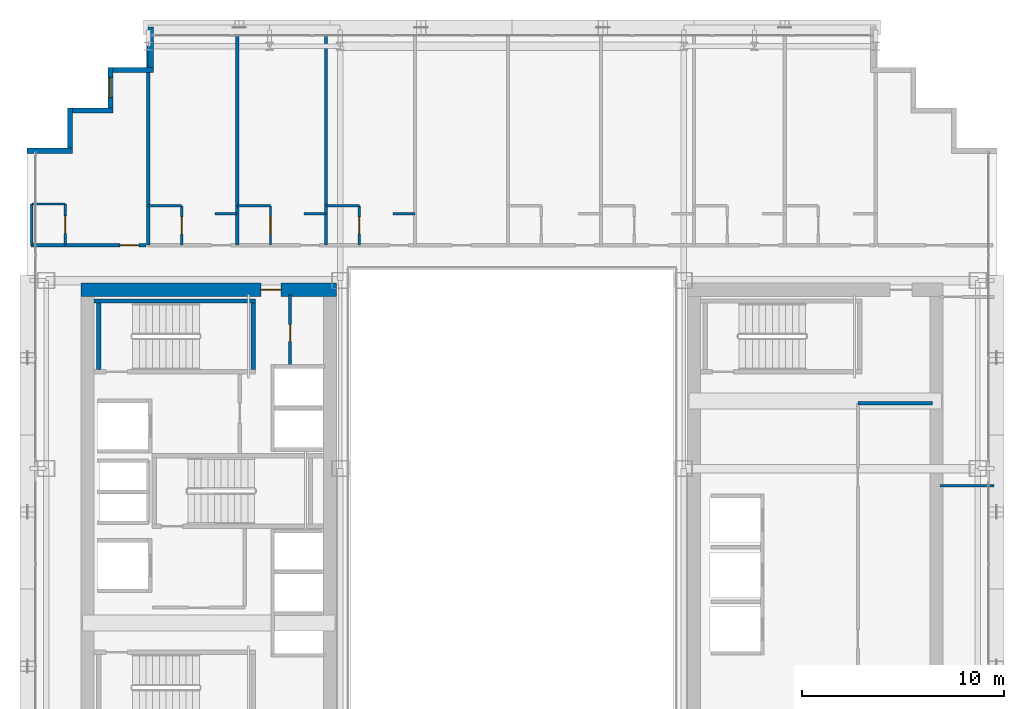
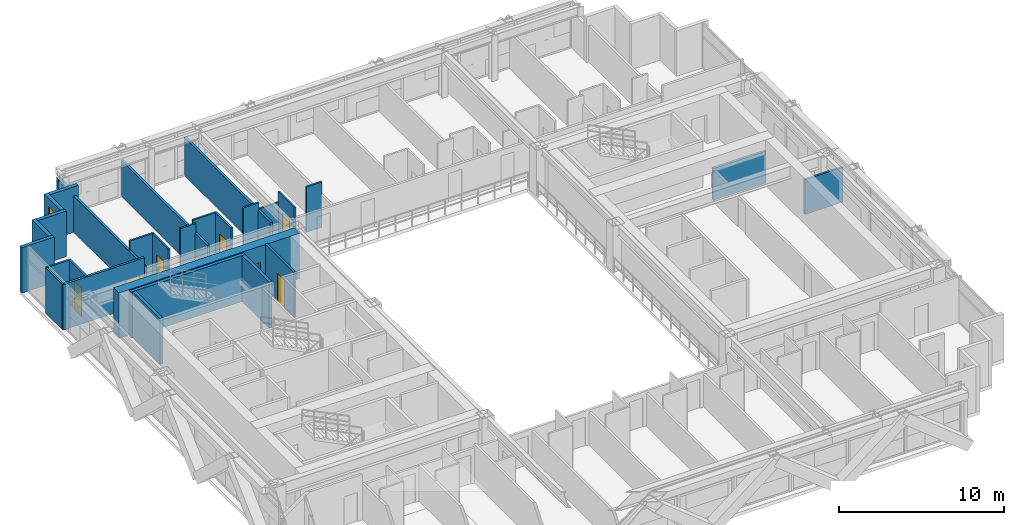
# One storey, part 30 of 36: 29 walls, 7 doors, 1 window, 8 openings.
"""IFC4 building model written with IfcOpenShell, lengths in metres."""

from ifc_helpers import new_model, si_unit, direction, frame, frame_2d, origin, place, context, subcontext, project, spatial, rectangle, extrude, source, transform, mapped, material, layer, layer_set, type_object, element, fill, save


model = new_model("IFC4")

# Units and contexts
model_context = context("Model", 3, precision=1e-05, world=origin(), true_north=direction((0.0, 1.0)))
body_context = subcontext(model_context, "Body", "Model", "MODEL_VIEW")
ifc_project = project(units=[si_unit("LENGTHUNIT", "METRE"), si_unit("AREAUNIT", "SQUARE_METRE"), si_unit("VOLUMEUNIT", "CUBIC_METRE"), si_unit("PLANEANGLEUNIT", "RADIAN"), si_unit("MASSUNIT", "GRAM", prefix="KILO")], contexts=[model_context])

# Site, building, storey
site_placement = place(None, origin())
site = spatial("IfcSite", under=ifc_project, at=site_placement, CompositionType="ELEMENT")
building_placement = place(site_placement, origin())
building = spatial("IfcBuilding", under=site, at=building_placement, Name="Ocotamira Hotel", CompositionType="ELEMENT")
storey_placement = place(building_placement, frame((0.0, 0.0, 133.199951171875)))
storey = spatial("IfcBuildingStorey", under=building, at=storey_placement, Name="L33", CompositionType="ELEMENT", Elevation=133.199951171875)

# Wall, opening, door
ifc_material_1 = material(Name="Concrete C60/75", Category="concrete")
ifc_layer_1 = layer(ifc_material_1, 0.64990234375)
ifc_layer_set_1 = layer_set([ifc_layer_1], Name="Concrete C60/75")
wall_type_1 = type_object("IfcWallType", Name="WL-CORE-650", PredefinedType="SHEAR", material=ifc_layer_set_1)
wall_1_placement = place(storey_placement, frame((10.675048828125, 37.0, 0.0), z_axis=(0.0, 0.0, 1.0), x_axis=(1.0, 0.0, 0.0)))
wall_1 = element("IfcWall", 1, at=wall_1_placement, inside=storey, type_object=wall_type_1, Name="L33 Shear Core Wall WCORE-N", PredefinedType="SHEAR", context=body_context, shape_type="SweptSolid", body=[
    extrude(rectangle(XDim=12.64990234375, YDim=0.64990234375, at=frame_2d((6.324951171875, 0.0))), origin(), (0.0, 0.0, 1.0), 3.360107421875),
])
opening_1_placement = place(wall_1_placement, frame((8.905029296875, 0.0, 0.0)))
opening_1 = element("IfcOpeningElement", 2, at=opening_1_placement, cuts=wall_1, Name="Opening D-FR2", PredefinedType="OPENING", context=body_context, shape_type="SweptSolid", body=[
    extrude(rectangle(XDim=1.0, YDim=2.14990234375, at=frame_2d((0.5, 1.074951171875))), frame((0.0, 0.3349609375, 0.0), z_axis=(0.0, -1.0, 0.0), x_axis=(1.0, 0.0, 0.0)), (0.0, 0.0, 1.0), 0.669921875),
])
ifc_material_2 = material(Name="Fire-rated acoustic timber-veneer door", Category="wood")
door_type_1 = type_object("IfcDoorType", Name="DR-FIRE-1000", OperationType="NOTDEFINED", PredefinedType="DOOR", material=ifc_material_2)
shared_shape_1 = source(origin(), body_context, "Body", "SweptSolid", [
    extrude(rectangle(XDim=1.0, YDim=2.14990234375, at=frame_2d((0.5, 1.074951171875))), frame((0.0, 0.02490234375, 0.0), z_axis=(0.0, -1.0, 0.0), x_axis=(1.0, 0.0, 0.0)), (0.0, 0.0, 1.0), 0.050048828125),
])
door_1_placement = place(opening_1_placement, origin())
door_1 = element("IfcDoor", 3, at=door_1_placement, inside=storey, type_object=door_type_1, Name="L33 Door ID-L33-WLOB-N-D [ID-L33-WLOB-N-D]", OperationType="SINGLE_SWING_RIGHT", OverallHeight=2.14990234375, OverallWidth=1.0, PredefinedType="DOOR", context=body_context, shape_type="MappedRepresentation", body=[
    mapped(shared_shape_1, transform((0.0, 0.0, 0.0), scale=1.0)),
])
fill(opening_1, door_1)

# Walls
ifc_material_3 = material(Name="Precast concrete C45/55", Category="concrete")
ifc_layer_2 = layer(ifc_material_3, 0.25)
ifc_layer_set_2 = layer_set([ifc_layer_2], Name="Precast concrete C45/55")
wall_type_2 = type_object("IfcWallType", Name="WL-EXT-SER-250", PredefinedType="SOLIDWALL", material=ifc_layer_set_2)
wall_2_placement = place(storey_placement, frame((14.125, 50.0, 0.0), z_axis=(0.0, 0.0, 1.0), x_axis=(0.0, -1.0, 0.0)))
element("IfcWall", 4, at=wall_2_placement, inside=storey, type_object=wall_type_2, Name="L33 Serrated Corner Wall 13", PredefinedType="SOLIDWALL", context=body_context, shape_type="SweptSolid", body=[
    extrude(rectangle(XDim=2.0, YDim=0.25, at=frame_2d((1.0, 0.0))), origin(), (0.0, 0.0, 1.0), 2.6669921875),
])
wall_3_placement = place(storey_placement, frame((14.25, 47.875, 0.0), z_axis=(0.0, 0.0, 1.0), x_axis=(-1.0, 0.0, 0.0)))
element("IfcWall", 5, at=wall_3_placement, inside=storey, type_object=wall_type_2, Name="L33 Serrated Corner Wall 14", PredefinedType="SOLIDWALL", context=body_context, shape_type="SweptSolid", body=[
    extrude(rectangle(XDim=2.0, YDim=0.25, at=frame_2d((1.0, 0.0))), origin(), (0.0, 0.0, 1.0), 3.360107421875),
])

# Wall, opening, window
wall_4_placement = place(storey_placement, frame((12.125, 48.0, 0.0), z_axis=(0.0, 0.0, 1.0), x_axis=(0.0, -1.0, 0.0)))
wall_4 = element("IfcWall", 6, at=wall_4_placement, inside=storey, type_object=wall_type_2, Name="L33 Serrated Corner Wall 15", PredefinedType="SOLIDWALL", context=body_context, shape_type="SweptSolid", body=[
    extrude(rectangle(XDim=2.0, YDim=0.25, at=frame_2d((1.0, 0.0))), origin(), (0.0, 0.0, 1.0), 3.360107421875),
])
opening_2_placement = place(wall_4_placement, frame((0.5, 0.0, 0.85009765625)))
opening_2 = element("IfcOpeningElement", 7, at=opening_2_placement, cuts=wall_4, Name="Opening WN-2", PredefinedType="OPENING", context=body_context, shape_type="SweptSolid", body=[
    extrude(rectangle(XDim=1.0, YDim=1.89990234375, at=frame_2d((0.5, 0.949951171875))), frame((0.0, 0.135009765625, 0.0), z_axis=(0.0, -1.0, 0.0), x_axis=(1.0, 0.0, 0.0)), (0.0, 0.0, 1.0), 0.27001953125),
])
ifc_material_4 = material(Name="Double-silver low-E solar glass", Category="glass")
window_type = type_object("IfcWindowType", Name="WIN-SER-1100", PartitioningType="SINGLE_PANEL", PredefinedType="WINDOW", material=ifc_material_4)
shared_shape_2 = source(origin(), body_context, "Body", "SweptSolid", [
    extrude(rectangle(XDim=1.0, YDim=1.89990234375, at=frame_2d((0.5, 0.949951171875))), frame((0.0, 0.030029296875, 0.0), z_axis=(0.0, -1.0, 0.0), x_axis=(1.0, 0.0, 0.0)), (0.0, 0.0, 1.0), 0.06005859375),
])
window_placement = place(opening_2_placement, origin())
window = element("IfcWindow", 8, at=window_placement, inside=storey, type_object=window_type, Name="L33 Serrated Corner Window 15", OverallHeight=1.89990234375, OverallWidth=1.0, PartitioningType="SINGLE_PANEL", PredefinedType="WINDOW", context=body_context, shape_type="MappedRepresentation", body=[
    mapped(shared_shape_2, transform((0.0, 0.0, 0.0), scale=1.0)),
])
fill(opening_2, window)

# Walls
for number, where, z_axis, x_axis, name in (
    (9, (12.25, 45.875, 0.0), (0.0, 0.0, 1.0), (-1.0, 0.0, 0.0), "L33 Serrated Corner Wall 16"),
    (10, (10.125, 46.0, 0.0), (0.0, 0.0, 1.0), (0.0, -1.0, 0.0), "L33 Serrated Corner Wall 17"),
):
    element("IfcWall", number, at=place(storey_placement, frame(where, z_axis=z_axis, x_axis=x_axis)), inside=storey, type_object=wall_type_2, Name=name, PredefinedType="SOLIDWALL", context=body_context, shape_type="SweptSolid", body=[
        extrude(rectangle(XDim=2.0, YDim=0.25, at=frame_2d((1.0, 0.0))), origin(), (0.0, 0.0, 1.0), 3.360107421875),
    ])
wall_5_placement = place(storey_placement, frame((10.25, 43.875, 0.0), z_axis=(0.0, 0.0, 1.0), x_axis=(-1.0, 0.0, 0.0)))
element("IfcWall", 11, at=wall_5_placement, inside=storey, type_object=wall_type_2, Name="L33 Serrated Corner Wall 18", PredefinedType="SOLIDWALL", context=body_context, shape_type="SweptSolid", body=[
    extrude(rectangle(XDim=2.25, YDim=0.25, at=frame_2d((1.125, 0.0))), origin(), (0.0, 0.0, 1.0), 3.360107421875),
])
ifc_material_5 = material(Name="Acoustic double-layer fire gypsum board partition", Category="gypsum")
ifc_layer_3 = layer(ifc_material_5, 0.159912109375)
ifc_layer_set_3 = layer_set([ifc_layer_3], Name="Acoustic double-layer fire gypsum board partition")
wall_type_3 = type_object("IfcWallType", Name="WL-FIRE-160", PredefinedType="PARTITIONING", material=ifc_layer_set_3)
wall_6_placement = place(storey_placement, frame((49.1201171875, 31.3798828125, 0.0), z_axis=(0.0, 0.0, 1.0), x_axis=(1.0, 0.0, 0.0)))
element("IfcWall", 12, at=wall_6_placement, inside=storey, type_object=wall_type_3, Name="L33 Interior Wall PW-L33-EC-FLOW-N", PredefinedType="PARTITIONING", context=body_context, shape_type="SweptSolid", body=[
    extrude(rectangle(XDim=3.679931640625, YDim=0.159912109375, at=frame_2d((1.83984375, 0.0))), origin(), (0.0, 0.0, 1.0), 2.360107421875),
])

# Wall, opening, door
wall_7_placement = place(storey_placement, frame((8.199951171875, 39.199951171875, 0.0), z_axis=(0.0, 0.0, 1.0), x_axis=(1.0, 0.0, 0.0)))
wall_7 = element("IfcWall", 13, at=wall_7_placement, inside=storey, type_object=wall_type_3, Name="L33 Interior Wall PW-L33-Z2D-CNW-CW", PredefinedType="PARTITIONING", context=body_context, shape_type="SweptSolid", body=[
    extrude(rectangle(XDim=5.679931640625, YDim=0.159912109375, at=frame_2d((2.83984375, 0.0))), origin(), (0.0, 0.0, 1.0), 3.360107421875),
])
opening_3_placement = place(wall_7_placement, frame((4.39990234375, 0.0, 0.0)))
opening_3 = element("IfcOpeningElement", 14, at=opening_3_placement, cuts=wall_7, Name="Opening D-GR1", PredefinedType="OPENING", context=body_context, shape_type="SweptSolid", body=[
    extrude(rectangle(XDim=0.93994140625, YDim=2.14990234375, at=frame_2d((0.469970703125, 1.074951171875))), frame((0.0, 0.08984375, 0.0), z_axis=(0.0, -1.0, 0.0), x_axis=(1.0, 0.0, 0.0)), (0.0, 0.0, 1.0), 0.179931640625),
])
ifc_material_6 = material(Name="Solid-core walnut suite entrance fire door", Category="wood")
door_type_2 = type_object("IfcDoorType", Name="DR-GUEST-940", OperationType="NOTDEFINED", PredefinedType="DOOR", material=ifc_material_6)
shared_shape_3 = source(origin(), body_context, "Body", "SweptSolid", [
    extrude(rectangle(XDim=0.93994140625, YDim=2.14990234375, at=frame_2d((0.469970703125, 1.074951171875))), frame((0.0, 0.02490234375, 0.0), z_axis=(0.0, -1.0, 0.0), x_axis=(1.0, 0.0, 0.0)), (0.0, 0.0, 1.0), 0.050048828125),
])
door_2_placement = place(opening_3_placement, origin())
door_2 = element("IfcDoor", 15, at=door_2_placement, inside=storey, type_object=door_type_2, Name="L33 Door ID-L33-Z2D-CNW-CD [ID-L33-Z2D-CNW-CD]", OperationType="SINGLE_SWING_RIGHT", OverallHeight=2.14990234375, OverallWidth=0.93994140625, PredefinedType="DOOR", context=body_context, shape_type="MappedRepresentation", body=[
    mapped(shared_shape_3, transform((0.0, 0.0, 0.0), scale=1.0)),
])
fill(opening_3, door_2)

ifc_material_7 = material(Name="Moisture-resistant en-suite tile and gypsum partition", Category="gypsum")
ifc_layer_4 = layer(ifc_material_7, 0.1201171875)
ifc_layer_set_4 = layer_set([ifc_layer_4], Name="Moisture-resistant en-suite tile and gypsum partition")
wall_type_4 = type_object("IfcWallType", Name="WL-PART-120", PredefinedType="PARTITIONING", material=ifc_layer_set_4)
wall_8_placement = place(storey_placement, frame((9.889892578125, 39.199951171875, 0.0), z_axis=(0.0, 0.0, 1.0), x_axis=(0.0, 1.0, 0.0)))
wall_8 = element("IfcWall", 16, at=wall_8_placement, inside=storey, type_object=wall_type_4, Name="L33 Interior Wall PW-L33-Z2D-CNW-BE", PredefinedType="PARTITIONING", context=body_context, shape_type="SweptSolid", body=[
    extrude(rectangle(XDim=2.0400390625, YDim=0.1201171875, at=frame_2d((1.02001953125, 0.0))), origin(), (0.0, 0.0, 1.0), 3.360107421875),
])
opening_4_placement = place(wall_8_placement, frame((0.590087890625, 0.0, 0.0)))
opening_4 = element("IfcOpeningElement", 17, at=opening_4_placement, cuts=wall_8, Name="Opening D-BA1", PredefinedType="OPENING", context=body_context, shape_type="SweptSolid", body=[
    extrude(rectangle(XDim=0.860107421875, YDim=2.10009765625, at=frame_2d((0.43017578125, 1.050048828125))), frame((0.0, 0.070068359375, 0.0), z_axis=(0.0, -1.0, 0.0), x_axis=(1.0, 0.0, 0.0)), (0.0, 0.0, 1.0), 0.14013671875),
])
ifc_material_8 = material(Name="Moisture-sealed en-suite timber door", Category="wood")
door_type_3 = type_object("IfcDoorType", Name="DR-BATH-860", OperationType="NOTDEFINED", PredefinedType="DOOR", material=ifc_material_8)
shared_shape_4 = source(origin(), body_context, "Body", "SweptSolid", [
    extrude(rectangle(XDim=0.860107421875, YDim=2.10009765625, at=frame_2d((0.43017578125, 1.050048828125))), frame((0.0, 0.02490234375, 0.0), z_axis=(0.0, -1.0, 0.0), x_axis=(1.0, 0.0, 0.0)), (0.0, 0.0, 1.0), 0.050048828125),
])
door_3_placement = place(opening_4_placement, origin())
door_3 = element("IfcDoor", 18, at=door_3_placement, inside=storey, type_object=door_type_3, Name="L33 Door ID-L33-Z2D-CNW-BD [ID-L33-Z2D-CNW-BD]", OperationType="SINGLE_SWING_LEFT", OverallHeight=2.10009765625, OverallWidth=0.860107421875, PredefinedType="DOOR", context=body_context, shape_type="MappedRepresentation", body=[
    mapped(shared_shape_4, transform((0.0, 0.0, 0.0), scale=1.0)),
])
fill(opening_4, door_3)

# Walls
wall_9_placement = place(storey_placement, frame((8.239990234375, 39.199951171875, 0.0), z_axis=(0.0, 0.0, 1.0), x_axis=(0.0, 1.0, 0.0)))
element("IfcWall", 19, at=wall_9_placement, inside=storey, type_object=wall_type_4, Name="L33 Interior Wall PW-L33-Z2D-CNW-BW", PredefinedType="PARTITIONING", context=body_context, shape_type="SweptSolid", body=[
    extrude(rectangle(XDim=2.0400390625, YDim=0.1201171875, at=frame_2d((1.02001953125, 0.0))), origin(), (0.0, 0.0, 1.0), 3.360107421875),
])
wall_10_placement = place(storey_placement, frame((8.239990234375, 41.239990234375, 0.0), z_axis=(0.0, 0.0, 1.0), x_axis=(1.0, 0.0, 0.0)))
element("IfcWall", 20, at=wall_10_placement, inside=storey, type_object=wall_type_4, Name="L33 Interior Wall PW-L33-Z2D-CNW-BH", PredefinedType="PARTITIONING", context=body_context, shape_type="SweptSolid", body=[
    extrude(rectangle(XDim=1.64990234375, YDim=0.1201171875, at=frame_2d((0.824951171875, 0.0))), origin(), (0.0, 0.0, 1.0), 3.360107421875),
])

# Wall, opening, door
wall_11_placement = place(storey_placement, frame((15.64990234375, 39.199951171875, 0.0), z_axis=(0.0, 0.0, 1.0), x_axis=(0.0, 1.0, 0.0)))
wall_11 = element("IfcWall", 21, at=wall_11_placement, inside=storey, type_object=wall_type_4, Name="L33 Interior Wall PW-L33-Z2DN-BAE1", PredefinedType="PARTITIONING", context=body_context, shape_type="SweptSolid", body=[
    extrude(rectangle(XDim=1.949951171875, YDim=0.1201171875, at=frame_2d((0.97509765625, 0.0))), origin(), (0.0, 0.0, 1.0), 3.360107421875),
])
opening_5_placement = place(wall_11_placement, frame((0.544921875, 0.0, 0.0)))
opening_5 = element("IfcOpeningElement", 22, at=opening_5_placement, cuts=wall_11, Name="Opening D-BA1", PredefinedType="OPENING", context=body_context, shape_type="SweptSolid", body=[
    extrude(rectangle(XDim=0.860107421875, YDim=2.10009765625, at=frame_2d((0.43017578125, 1.050048828125))), frame((0.0, 0.070068359375, 0.0), z_axis=(0.0, -1.0, 0.0), x_axis=(1.0, 0.0, 0.0)), (0.0, 0.0, 1.0), 0.14013671875),
])
door_4_placement = place(opening_5_placement, origin())
door_4 = element("IfcDoor", 23, at=door_4_placement, inside=storey, type_object=door_type_3, Name="L33 Door ID-L33-Z2DN-BAD1 [ID-L33-Z2DN-BAD1]", OperationType="SINGLE_SWING_RIGHT", OverallHeight=2.10009765625, OverallWidth=0.860107421875, PredefinedType="DOOR", context=body_context, shape_type="MappedRepresentation", body=[
    mapped(shared_shape_4, transform((0.0, 0.0, 0.0), scale=1.0)),
])
fill(opening_5, door_4)

# Walls
wall_12_placement = place(storey_placement, frame((14.0, 41.14990234375, 0.0), z_axis=(0.0, 0.0, 1.0), x_axis=(1.0, 0.0, 0.0)))
element("IfcWall", 24, at=wall_12_placement, inside=storey, type_object=wall_type_4, Name="L33 Interior Wall PW-L33-Z2DN-BAN1", PredefinedType="PARTITIONING", context=body_context, shape_type="SweptSolid", body=[
    extrude(rectangle(XDim=1.64990234375, YDim=0.1201171875, at=frame_2d((0.824951171875, 0.0))), origin(), (0.0, 0.0, 1.0), 3.360107421875),
])
wall_13_placement = place(storey_placement, frame((17.300048828125, 40.75, 0.0), z_axis=(0.0, 0.0, 1.0), x_axis=(1.0, 0.0, 0.0)))
element("IfcWall", 25, at=wall_13_placement, inside=storey, type_object=wall_type_4, Name="L33 Interior Wall PW-L33-Z2DN-DRN1", PredefinedType="PARTITIONING", context=body_context, shape_type="SweptSolid", body=[
    extrude(rectangle(XDim=1.099853515625, YDim=0.1201171875, at=frame_2d((0.5498046875, 0.0))), origin(), (0.0, 0.0, 1.0), 3.360107421875),
])

# Wall, opening, door
wall_14_placement = place(storey_placement, frame((20.050048828125, 39.199951171875, 0.0), z_axis=(0.0, 0.0, 1.0), x_axis=(0.0, 1.0, 0.0)))
wall_14 = element("IfcWall", 26, at=wall_14_placement, inside=storey, type_object=wall_type_4, Name="L33 Interior Wall PW-L33-Z2DN-BAE2", PredefinedType="PARTITIONING", context=body_context, shape_type="SweptSolid", body=[
    extrude(rectangle(XDim=1.949951171875, YDim=0.1201171875, at=frame_2d((0.97509765625, 0.0))), origin(), (0.0, 0.0, 1.0), 3.360107421875),
])
opening_6_placement = place(wall_14_placement, frame((0.544921875, 0.0, 0.0)))
opening_6 = element("IfcOpeningElement", 27, at=opening_6_placement, cuts=wall_14, Name="Opening D-BA1", PredefinedType="OPENING", context=body_context, shape_type="SweptSolid", body=[
    extrude(rectangle(XDim=0.860107421875, YDim=2.10009765625, at=frame_2d((0.43017578125, 1.050048828125))), frame((0.0, 0.070068359375, 0.0), z_axis=(0.0, -1.0, 0.0), x_axis=(1.0, 0.0, 0.0)), (0.0, 0.0, 1.0), 0.14013671875),
])
door_5_placement = place(opening_6_placement, origin())
door_5 = element("IfcDoor", 28, at=door_5_placement, inside=storey, type_object=door_type_3, Name="L33 Door ID-L33-Z2DN-BAD2 [ID-L33-Z2DN-BAD2]", OperationType="SINGLE_SWING_LEFT", OverallHeight=2.10009765625, OverallWidth=0.860107421875, PredefinedType="DOOR", context=body_context, shape_type="MappedRepresentation", body=[
    mapped(shared_shape_4, transform((0.0, 0.0, 0.0), scale=1.0)),
])
fill(opening_6, door_5)

# Walls
wall_15_placement = place(storey_placement, frame((18.39990234375, 41.14990234375, 0.0), z_axis=(0.0, 0.0, 1.0), x_axis=(1.0, 0.0, 0.0)))
element("IfcWall", 29, at=wall_15_placement, inside=storey, type_object=wall_type_4, Name="L33 Interior Wall PW-L33-Z2DN-BAN2", PredefinedType="PARTITIONING", context=body_context, shape_type="SweptSolid", body=[
    extrude(rectangle(XDim=1.650146484375, YDim=0.1201171875, at=frame_2d((0.8251953125, 0.0))), origin(), (0.0, 0.0, 1.0), 3.360107421875),
])
wall_16_placement = place(storey_placement, frame((21.699951171875, 40.75, 0.0), z_axis=(0.0, 0.0, 1.0), x_axis=(1.0, 0.0, 0.0)))
element("IfcWall", 30, at=wall_16_placement, inside=storey, type_object=wall_type_4, Name="L33 Interior Wall PW-L33-Z2DN-DRN2", PredefinedType="PARTITIONING", context=body_context, shape_type="SweptSolid", body=[
    extrude(rectangle(XDim=1.10009765625, YDim=0.1201171875, at=frame_2d((0.550048828125, 0.0))), origin(), (0.0, 0.0, 1.0), 3.360107421875),
])

# Wall, opening, door
wall_17_placement = place(storey_placement, frame((24.449951171875, 39.199951171875, 0.0), z_axis=(0.0, 0.0, 1.0), x_axis=(0.0, 1.0, 0.0)))
wall_17 = element("IfcWall", 31, at=wall_17_placement, inside=storey, type_object=wall_type_4, Name="L33 Interior Wall PW-L33-Z2DN-BAE3", PredefinedType="PARTITIONING", context=body_context, shape_type="SweptSolid", body=[
    extrude(rectangle(XDim=1.949951171875, YDim=0.1201171875, at=frame_2d((0.97509765625, 0.0))), origin(), (0.0, 0.0, 1.0), 3.360107421875),
])
opening_7_placement = place(wall_17_placement, frame((0.544921875, 0.0, 0.0)))
opening_7 = element("IfcOpeningElement", 32, at=opening_7_placement, cuts=wall_17, Name="Opening D-BA1", PredefinedType="OPENING", context=body_context, shape_type="SweptSolid", body=[
    extrude(rectangle(XDim=0.860107421875, YDim=2.10009765625, at=frame_2d((0.43017578125, 1.050048828125))), frame((0.0, 0.070068359375, 0.0), z_axis=(0.0, -1.0, 0.0), x_axis=(1.0, 0.0, 0.0)), (0.0, 0.0, 1.0), 0.14013671875),
])
door_6_placement = place(opening_7_placement, origin())
door_6 = element("IfcDoor", 33, at=door_6_placement, inside=storey, type_object=door_type_3, Name="L33 Door ID-L33-Z2DN-BAD3 [ID-L33-Z2DN-BAD3]", OperationType="SINGLE_SWING_RIGHT", OverallHeight=2.10009765625, OverallWidth=0.860107421875, PredefinedType="DOOR", context=body_context, shape_type="MappedRepresentation", body=[
    mapped(shared_shape_4, transform((0.0, 0.0, 0.0), scale=1.0)),
])
fill(opening_7, door_6)

# Walls
wall_18_placement = place(storey_placement, frame((22.800048828125, 41.14990234375, 0.0), z_axis=(0.0, 0.0, 1.0), x_axis=(1.0, 0.0, 0.0)))
element("IfcWall", 34, at=wall_18_placement, inside=storey, type_object=wall_type_4, Name="L33 Interior Wall PW-L33-Z2DN-BAN3", PredefinedType="PARTITIONING", context=body_context, shape_type="SweptSolid", body=[
    extrude(rectangle(XDim=1.64990234375, YDim=0.1201171875, at=frame_2d((0.824951171875, 0.0))), origin(), (0.0, 0.0, 1.0), 2.5810546875),
])
wall_19_placement = place(storey_placement, frame((26.10009765625, 40.75, 0.0), z_axis=(0.0, 0.0, 1.0), x_axis=(1.0, 0.0, 0.0)))
element("IfcWall", 35, at=wall_19_placement, inside=storey, type_object=wall_type_4, Name="L33 Interior Wall PW-L33-Z2DN-DRN3", PredefinedType="PARTITIONING", context=body_context, shape_type="SweptSolid", body=[
    extrude(rectangle(XDim=1.099853515625, YDim=0.1201171875, at=frame_2d((0.5498046875, 0.0))), origin(), (0.0, 0.0, 1.0), 3.360107421875),
])

# Wall, opening, door
ifc_material_9 = material(Name="Acoustic hospitality gypsum board partition", Category="gypsum")
ifc_layer_5 = layer(ifc_material_9, 0.14208984375)
ifc_layer_set_5 = layer_set([ifc_layer_5], Name="Acoustic hospitality gypsum board partition")
wall_type_5 = type_object("IfcWallType", Name="WL-PART-142", PredefinedType="PARTITIONING", material=ifc_layer_set_5)
wall_20_placement = place(storey_placement, frame((21.02001953125, 33.280029296875, 0.0), z_axis=(0.0, 0.0, 1.0), x_axis=(0.0, 1.0, 0.0)))
wall_20 = element("IfcWall", 36, at=wall_20_placement, inside=storey, type_object=wall_type_5, Name="L33 Interior Wall PW-L33-WC-NE-W", PredefinedType="PARTITIONING", context=body_context, shape_type="SweptSolid", body=[
    extrude(rectangle(XDim=3.469970703125, YDim=0.14208984375, at=frame_2d((1.73486328125, 0.0))), origin(), (0.0, 0.0, 1.0), 3.360107421875),
])
opening_8_placement = place(wall_20_placement, frame((1.14990234375, 0.0, 0.0)))
opening_8 = element("IfcOpeningElement", 37, at=opening_8_placement, cuts=wall_20, Name="Opening D-SV1", PredefinedType="OPENING", context=body_context, shape_type="SweptSolid", body=[
    extrude(rectangle(XDim=0.840087890625, YDim=2.10009765625, at=frame_2d((0.419921875, 1.050048828125))), frame((0.0, 0.0810546875, 0.0), z_axis=(0.0, -1.0, 0.0), x_axis=(1.0, 0.0, 0.0)), (0.0, 0.0, 1.0), 0.162109375),
])
ifc_material_10 = material(Name="Fire-rated painted steel service door", Category="steel")
door_type_4 = type_object("IfcDoorType", Name="DR-SERV-840", OperationType="NOTDEFINED", PredefinedType="DOOR", material=ifc_material_10)
shared_shape_5 = source(origin(), body_context, "Body", "SweptSolid", [
    extrude(rectangle(XDim=0.840087890625, YDim=2.10009765625, at=frame_2d((0.419921875, 1.050048828125))), frame((0.0, 0.02490234375, 0.0), z_axis=(0.0, -1.0, 0.0), x_axis=(1.0, 0.0, 0.0)), (0.0, 0.0, 1.0), 0.050048828125),
])
door_7_placement = place(opening_8_placement, origin())
door_7 = element("IfcDoor", 38, at=door_7_placement, inside=storey, type_object=door_type_4, Name="L33 Door ID-L33-WC-NE-D [ID-L33-WC-NE-D]", OperationType="SINGLE_SWING_LEFT", OverallHeight=2.10009765625, OverallWidth=0.840087890625, PredefinedType="DOOR", context=body_context, shape_type="MappedRepresentation", body=[
    mapped(shared_shape_5, transform((0.0, 0.0, 0.0), scale=1.0)),
])
fill(opening_8, door_7)

# Walls
wall_21_placement = place(storey_placement, frame((53.179931640625, 27.300048828125, 0.0), z_axis=(0.0, 0.0, 1.0), x_axis=(1.0, 0.0, 0.0)))
element("IfcWall", 39, at=wall_21_placement, inside=storey, type_object=wall_type_5, Name="L33 Interior Wall PW-L33-Z2D-EF-DV1", PredefinedType="PARTITIONING", context=body_context, shape_type="SweptSolid", body=[
    extrude(rectangle(XDim=2.66015625, YDim=0.14208984375, at=frame_2d((1.330078125, 0.0))), origin(), (0.0, 0.0, 1.0), 2.5810546875),
])
ifc_material_11 = material(Name="Acoustic double-stud hospitality gypsum partition", Category="gypsum")
ifc_layer_6 = layer(ifc_material_11, 0.159912109375)
ifc_layer_set_6 = layer_set([ifc_layer_6], Name="Acoustic double-stud hospitality gypsum partition")
wall_type_6 = type_object("IfcWallType", Name="WL-PART-160", PredefinedType="PARTITIONING", material=ifc_layer_set_6)
for number, where, z_axis, x_axis, name in (
    (40, (14.0, 39.199951171875, 0.0), (0.0, 0.0, 1.0), (0.0, 1.0, 0.0), "L33 Interior Wall PW-L33-Z2DN-PW0"),
    (41, (18.39990234375, 39.199951171875, 0.0), (0.0, 0.0, 1.0), (0.0, 1.0, 0.0), "L33 Interior Wall PW-L33-Z2DN-PW1"),
):
    element("IfcWall", number, at=place(storey_placement, frame(where, z_axis=z_axis, x_axis=x_axis)), inside=storey, type_object=wall_type_6, Name=name, PredefinedType="PARTITIONING", context=body_context, shape_type="SweptSolid", body=[
        extrude(rectangle(XDim=10.43994140625, YDim=0.159912109375, at=frame_2d((5.219970703125, 0.0))), origin(), (0.0, 0.0, 1.0), 2.6669921875),
    ])
wall_22_placement = place(storey_placement, frame((22.800048828125, 39.199951171875, 0.0), z_axis=(0.0, 0.0, 1.0), x_axis=(0.0, 1.0, 0.0)))
element("IfcWall", 42, at=wall_22_placement, inside=storey, type_object=wall_type_6, Name="L33 Interior Wall PW-L33-Z2DN-PW2", PredefinedType="PARTITIONING", context=body_context, shape_type="SweptSolid", body=[
    extrude(rectangle(XDim=10.43994140625, YDim=0.159912109375, at=frame_2d((5.219970703125, 0.0))), origin(), (0.0, 0.0, 1.0), 2.822998046875),
])
ifc_material_12 = material(Name="Concrete C50/60", Category="concrete")
ifc_layer_7 = layer(ifc_material_12, 0.219970703125)
ifc_layer_set_7 = layer_set([ifc_layer_7], Name="Concrete C50/60")
wall_type_7 = type_object("IfcWallType", Name="WL-STAIR-220", PredefinedType="SHEAR", material=ifc_layer_set_7)
wall_23_placement = place(storey_placement, frame((11.324951171875, 36.43994140625, 0.0), z_axis=(0.0, 0.0, 1.0), x_axis=(1.0, 0.0, 0.0)))
element("IfcWall", 43, at=wall_23_placement, inside=storey, type_object=wall_type_7, Name="L33 Stair Shaft Structural Wall ST-2-N", PredefinedType="SHEAR", context=body_context, shape_type="SweptSolid", body=[
    extrude(rectangle(XDim=7.985107421875, YDim=0.219970703125, at=frame_2d((3.99267578125, 0.0))), origin(), (0.0, 0.0, 1.0), 3.400146484375),
])
for number, where, z_axis, x_axis, name in (
    (44, (11.56005859375, 33.050048828125, 0.0), (0.0, 0.0, 1.0), (0.0, 1.0, 0.0), "L33 Stair Shaft Structural Wall ST-2-W"),
    (45, (19.199951171875, 33.050048828125, 0.0), (0.0, 0.0, 1.0), (0.0, 1.0, 0.0), "L33 Stair Shaft Structural Wall ST-2-E"),
):
    element("IfcWall", number, at=place(storey_placement, frame(where, z_axis=z_axis, x_axis=x_axis)), inside=storey, type_object=wall_type_7, Name=name, PredefinedType="SHEAR", context=body_context, shape_type="SweptSolid", body=[
        extrude(rectangle(XDim=3.280029296875, YDim=0.219970703125, at=frame_2d((1.64013671875, 0.0))), origin(), (0.0, 0.0, 1.0), 3.400146484375),
    ])

save(model, "model.ifc")
